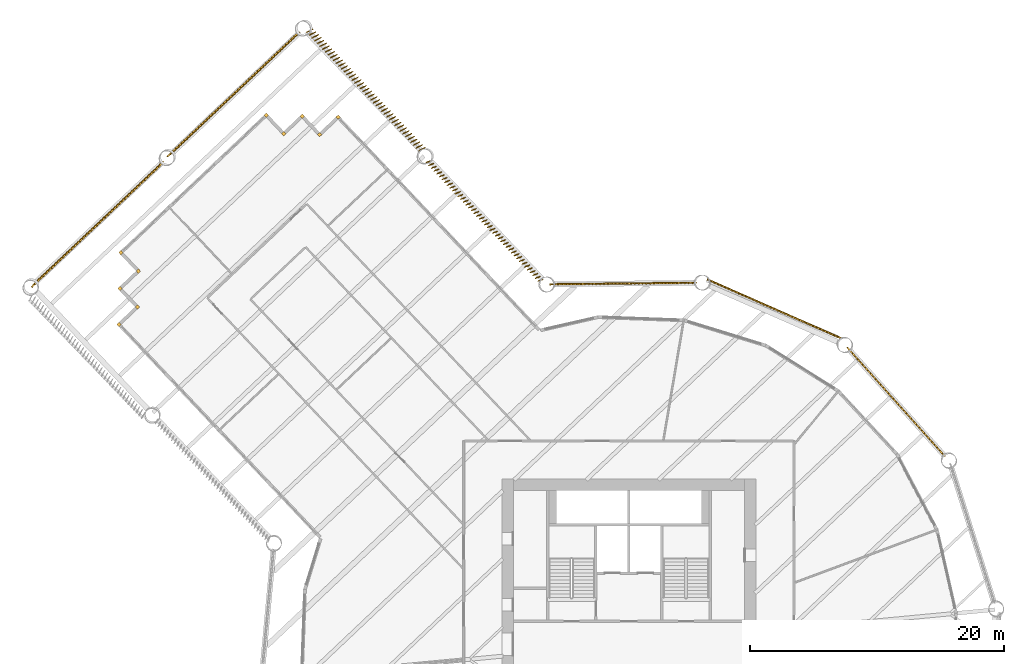
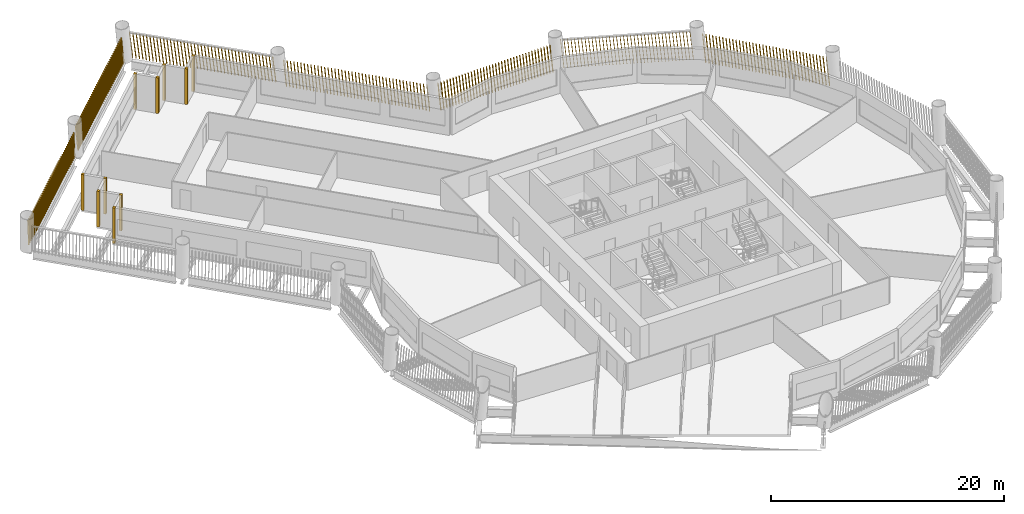
# One storey, part 14 of 15: 17 shading devices.
"""IFC4 building model written with IfcOpenShell, lengths in metres."""

from ifc_helpers import new_model, si_unit, direction, frame, frame_2d, origin, origin_2d, place, context, subcontext, project, spatial, rectangle, composite_profile, extrude, material, type_object, element, save


model = new_model("IFC4")

# Units and contexts
model_context = context("Model", 3, precision=1e-05, world=origin(), true_north=direction((0.0, 1.0)))
body_context = subcontext(model_context, "Body", "Model", "MODEL_VIEW")
ifc_project = project(units=[si_unit("LENGTHUNIT", "METRE"), si_unit("AREAUNIT", "SQUARE_METRE"), si_unit("VOLUMEUNIT", "CUBIC_METRE"), si_unit("PLANEANGLEUNIT", "RADIAN"), si_unit("MASSUNIT", "GRAM", prefix="KILO")], contexts=[model_context])

# Site, building, storey
site_placement = place(None, origin())
site = spatial("IfcSite", under=ifc_project, at=site_placement, CompositionType="ELEMENT")
building_placement = place(site_placement, origin())
building = spatial("IfcBuilding", under=site, at=building_placement, Name="Tarsis Ring Headquarters", CompositionType="ELEMENT")
storey_placement = place(building_placement, frame((0.0, 0.0, 67.300048828125)))
storey = spatial("IfcBuildingStorey", under=building, at=storey_placement, Name="L14", CompositionType="ELEMENT", Elevation=67.300048828125)

# Shading devices
ifc_material = material(Name="Terracotta baguette", Category="masonry")
shading_device_type_1 = type_object("IfcShadingDeviceType", Name="Terracotta baguette screen", PredefinedType="USERDEFINED", material=ifc_material)
shading_device_1_placement = place(storey_placement, frame((24.8876953125, 14.783203125, 0.0), z_axis=(0.0, 0.0, 1.0), x_axis=(-0.667997829626, 0.744156266956, 0.0)))
element("IfcShadingDevice", 1, at=shading_device_1_placement, inside=storey, type_object=shading_device_type_1, Name="Baguette screen L14-12", ObjectType="Terracotta baguette screen", PredefinedType="USERDEFINED", context=body_context, shape_type="SweptSolid", body=[
    extrude(composite_profile([rectangle(XDim=0.06005859375, YDim=0.1201171875, at=frame_2d((0.030029296875, 0.0))), rectangle(XDim=0.06005859375, YDim=0.1201171875, at=frame_2d((0.33251953125, 0.0))), rectangle(XDim=0.06005859375, YDim=0.1201171875, at=frame_2d((0.634765625, 0.0))), rectangle(XDim=0.06005859375, YDim=0.1201171875, at=frame_2d((0.937255859375, 0.0))), rectangle(XDim=0.06005859375, YDim=0.1201171875, at=frame_2d((1.239501953125, 0.0))), rectangle(XDim=0.06005859375, YDim=0.1201171875, at=frame_2d((1.5419921875, 0.0))), rectangle(XDim=0.06005859375, YDim=0.1201171875, at=frame_2d((1.844482421875, 0.0))), rectangle(XDim=0.06005859375, YDim=0.1201171875, at=frame_2d((2.146728515625, 0.0))), rectangle(XDim=0.06005859375, YDim=0.1201171875, at=frame_2d((2.44921875, 0.0))), rectangle(XDim=0.06005859375, YDim=0.1201171875, at=frame_2d((2.751708984375, 0.0))), rectangle(XDim=0.06005859375, YDim=0.1201171875, at=frame_2d((3.053955078125, 0.0))), rectangle(XDim=0.06005859375, YDim=0.1201171875, at=frame_2d((3.3564453125, 0.0))), rectangle(XDim=0.06005859375, YDim=0.1201171875, at=frame_2d((3.65869140625, 0.0))), rectangle(XDim=0.06005859375, YDim=0.1201171875, at=frame_2d((3.961181640625, 0.0))), rectangle(XDim=0.06005859375, YDim=0.1201171875, at=frame_2d((4.263671875, 0.0))), rectangle(XDim=0.06005859375, YDim=0.1201171875, at=frame_2d((4.56591796875, 0.0))), rectangle(XDim=0.06005859375, YDim=0.1201171875, at=frame_2d((4.868408203125, 0.0))), rectangle(XDim=0.06005859375, YDim=0.1201171875, at=frame_2d((5.1708984375, 0.0))), rectangle(XDim=0.06005859375, YDim=0.1201171875, at=frame_2d((5.47314453125, 0.0))), rectangle(XDim=0.06005859375, YDim=0.1201171875, at=frame_2d((5.775634765625, 0.0))), rectangle(XDim=0.06005859375, YDim=0.1201171875, at=frame_2d((6.077880859375, 0.0))), rectangle(XDim=0.06005859375, YDim=0.1201171875, at=frame_2d((6.38037109375, 0.0))), rectangle(XDim=0.06005859375, YDim=0.1201171875, at=frame_2d((6.682861328125, 0.0))), rectangle(XDim=0.06005859375, YDim=0.1201171875, at=frame_2d((6.985107421875, 0.0))), rectangle(XDim=0.06005859375, YDim=0.1201171875, at=frame_2d((7.28759765625, 0.0))), rectangle(XDim=0.06005859375, YDim=0.1201171875, at=frame_2d((7.590087890625, 0.0))), rectangle(XDim=0.06005859375, YDim=0.1201171875, at=frame_2d((7.892333984375, 0.0))), rectangle(XDim=0.06005859375, YDim=0.1201171875, at=frame_2d((8.19482421875, 0.0))), rectangle(XDim=0.06005859375, YDim=0.1201171875, at=frame_2d((8.4970703125, 0.0))), rectangle(XDim=0.06005859375, YDim=0.1201171875, at=frame_2d((8.799560546875, 0.0))), rectangle(XDim=0.06005859375, YDim=0.1201171875, at=frame_2d((9.10205078125, 0.0))), rectangle(XDim=0.06005859375, YDim=0.1201171875, at=frame_2d((9.404296875, 0.0))), rectangle(XDim=0.06005859375, YDim=0.1201171875, at=frame_2d((9.706787109375, 0.0))), rectangle(XDim=0.06005859375, YDim=0.1201171875, at=frame_2d((10.00927734375, 0.0))), rectangle(XDim=0.06005859375, YDim=0.1201171875, at=frame_2d((10.3115234375, 0.0))), rectangle(XDim=0.06005859375, YDim=0.1201171875, at=frame_2d((10.614013671875, 0.0))), rectangle(XDim=0.06005859375, YDim=0.1201171875, at=frame_2d((10.916259765625, 0.0))), rectangle(XDim=0.06005859375, YDim=0.1201171875, at=frame_2d((11.21875, 0.0)))]), origin(), (0.100199944329, 0.000525921883, 0.994967182656), 2.967529296875),
])
shading_device_2_placement = place(storey_placement, frame((16.732666015625, 24.070556640625, 0.0), z_axis=(0.0, 0.0, 1.0), x_axis=(-0.915355398806, 0.402647856755, 0.0)))
element("IfcShadingDevice", 2, at=shading_device_2_placement, inside=storey, type_object=shading_device_type_1, Name="Baguette screen L14-13", ObjectType="Terracotta baguette screen", PredefinedType="USERDEFINED", context=body_context, shape_type="SweptSolid", body=[
    extrude(composite_profile([rectangle(XDim=0.06005859375, YDim=0.1201171875, at=frame_2d((0.030029296875, 0.0))), rectangle(XDim=0.06005859375, YDim=0.1201171875, at=frame_2d((0.33251953125, 0.0))), rectangle(XDim=0.06005859375, YDim=0.1201171875, at=frame_2d((0.634765625, 0.0))), rectangle(XDim=0.06005859375, YDim=0.1201171875, at=frame_2d((0.937255859375, 0.0))), rectangle(XDim=0.06005859375, YDim=0.1201171875, at=frame_2d((1.239501953125, 0.0))), rectangle(XDim=0.06005859375, YDim=0.1201171875, at=frame_2d((1.5419921875, 0.0))), rectangle(XDim=0.06005859375, YDim=0.1201171875, at=frame_2d((1.844482421875, 0.0))), rectangle(XDim=0.06005859375, YDim=0.1201171875, at=frame_2d((2.146728515625, 0.0))), rectangle(XDim=0.06005859375, YDim=0.1201171875, at=frame_2d((2.44921875, 0.0))), rectangle(XDim=0.06005859375, YDim=0.1201171875, at=frame_2d((2.751708984375, 0.0))), rectangle(XDim=0.06005859375, YDim=0.1201171875, at=frame_2d((3.053955078125, 0.0))), rectangle(XDim=0.06005859375, YDim=0.1201171875, at=frame_2d((3.3564453125, 0.0))), rectangle(XDim=0.06005859375, YDim=0.1201171875, at=frame_2d((3.65869140625, 0.0))), rectangle(XDim=0.06005859375, YDim=0.1201171875, at=frame_2d((3.961181640625, 0.0))), rectangle(XDim=0.06005859375, YDim=0.1201171875, at=frame_2d((4.263671875, 0.0))), rectangle(XDim=0.06005859375, YDim=0.1201171875, at=frame_2d((4.56591796875, 0.0))), rectangle(XDim=0.06005859375, YDim=0.1201171875, at=frame_2d((4.868408203125, 0.0))), rectangle(XDim=0.06005859375, YDim=0.1201171875, at=frame_2d((5.1708984375, 0.0))), rectangle(XDim=0.06005859375, YDim=0.1201171875, at=frame_2d((5.47314453125, 0.0))), rectangle(XDim=0.06005859375, YDim=0.1201171875, at=frame_2d((5.775634765625, 0.0))), rectangle(XDim=0.06005859375, YDim=0.1201171875, at=frame_2d((6.077880859375, 0.0))), rectangle(XDim=0.06005859375, YDim=0.1201171875, at=frame_2d((6.38037109375, 0.0))), rectangle(XDim=0.06005859375, YDim=0.1201171875, at=frame_2d((6.682861328125, 0.0))), rectangle(XDim=0.06005859375, YDim=0.1201171875, at=frame_2d((6.985107421875, 0.0))), rectangle(XDim=0.06005859375, YDim=0.1201171875, at=frame_2d((7.28759765625, 0.0))), rectangle(XDim=0.06005859375, YDim=0.1201171875, at=frame_2d((7.590087890625, 0.0))), rectangle(XDim=0.06005859375, YDim=0.1201171875, at=frame_2d((7.892333984375, 0.0))), rectangle(XDim=0.06005859375, YDim=0.1201171875, at=frame_2d((8.19482421875, 0.0))), rectangle(XDim=0.06005859375, YDim=0.1201171875, at=frame_2d((8.4970703125, 0.0))), rectangle(XDim=0.06005859375, YDim=0.1201171875, at=frame_2d((8.799560546875, 0.0))), rectangle(XDim=0.06005859375, YDim=0.1201171875, at=frame_2d((9.10205078125, 0.0))), rectangle(XDim=0.06005859375, YDim=0.1201171875, at=frame_2d((9.404296875, 0.0))), rectangle(XDim=0.06005859375, YDim=0.1201171875, at=frame_2d((9.706787109375, 0.0))), rectangle(XDim=0.06005859375, YDim=0.1201171875, at=frame_2d((10.00927734375, 0.0))), rectangle(XDim=0.06005859375, YDim=0.1201171875, at=frame_2d((10.3115234375, 0.0))), rectangle(XDim=0.06005859375, YDim=0.1201171875, at=frame_2d((10.614013671875, 0.0))), rectangle(XDim=0.06005859375, YDim=0.1201171875, at=frame_2d((10.916259765625, 0.0))), rectangle(XDim=0.06005859375, YDim=0.1201171875, at=frame_2d((11.21875, 0.0)))]), origin(), (0.101510052559, 0.00053155035, 0.994834371483), 2.968017578125),
])
shading_device_3_placement = place(storey_placement, frame((5.327392578125, 28.452880859375, 0.0), z_axis=(0.0, 0.0, 1.0), x_axis=(-0.999934890181, -0.010460977515, 0.0)))
element("IfcShadingDevice", 3, at=shading_device_3_placement, inside=storey, type_object=shading_device_type_1, Name="Baguette screen L14-14", ObjectType="Terracotta baguette screen", PredefinedType="USERDEFINED", context=body_context, shape_type="SweptSolid", body=[
    extrude(composite_profile([rectangle(XDim=0.06005859375, YDim=0.1201171875, at=frame_2d((0.030029296875, 0.0))), rectangle(XDim=0.06005859375, YDim=0.1201171875, at=frame_2d((0.33251953125, 0.0))), rectangle(XDim=0.06005859375, YDim=0.1201171875, at=frame_2d((0.634765625, 0.0))), rectangle(XDim=0.06005859375, YDim=0.1201171875, at=frame_2d((0.937255859375, 0.0))), rectangle(XDim=0.06005859375, YDim=0.1201171875, at=frame_2d((1.239501953125, 0.0))), rectangle(XDim=0.06005859375, YDim=0.1201171875, at=frame_2d((1.5419921875, 0.0))), rectangle(XDim=0.06005859375, YDim=0.1201171875, at=frame_2d((1.844482421875, 0.0))), rectangle(XDim=0.06005859375, YDim=0.1201171875, at=frame_2d((2.146728515625, 0.0))), rectangle(XDim=0.06005859375, YDim=0.1201171875, at=frame_2d((2.44921875, 0.0))), rectangle(XDim=0.06005859375, YDim=0.1201171875, at=frame_2d((2.751708984375, 0.0))), rectangle(XDim=0.06005859375, YDim=0.1201171875, at=frame_2d((3.053955078125, 0.0))), rectangle(XDim=0.06005859375, YDim=0.1201171875, at=frame_2d((3.3564453125, 0.0))), rectangle(XDim=0.06005859375, YDim=0.1201171875, at=frame_2d((3.65869140625, 0.0))), rectangle(XDim=0.06005859375, YDim=0.1201171875, at=frame_2d((3.961181640625, 0.0))), rectangle(XDim=0.06005859375, YDim=0.1201171875, at=frame_2d((4.263671875, 0.0))), rectangle(XDim=0.06005859375, YDim=0.1201171875, at=frame_2d((4.56591796875, 0.0))), rectangle(XDim=0.06005859375, YDim=0.1201171875, at=frame_2d((4.868408203125, 0.0))), rectangle(XDim=0.06005859375, YDim=0.1201171875, at=frame_2d((5.1708984375, 0.0))), rectangle(XDim=0.06005859375, YDim=0.1201171875, at=frame_2d((5.47314453125, 0.0))), rectangle(XDim=0.06005859375, YDim=0.1201171875, at=frame_2d((5.775634765625, 0.0))), rectangle(XDim=0.06005859375, YDim=0.1201171875, at=frame_2d((6.077880859375, 0.0))), rectangle(XDim=0.06005859375, YDim=0.1201171875, at=frame_2d((6.38037109375, 0.0))), rectangle(XDim=0.06005859375, YDim=0.1201171875, at=frame_2d((6.682861328125, 0.0))), rectangle(XDim=0.06005859375, YDim=0.1201171875, at=frame_2d((6.985107421875, 0.0))), rectangle(XDim=0.06005859375, YDim=0.1201171875, at=frame_2d((7.28759765625, 0.0))), rectangle(XDim=0.06005859375, YDim=0.1201171875, at=frame_2d((7.590087890625, 0.0))), rectangle(XDim=0.06005859375, YDim=0.1201171875, at=frame_2d((7.892333984375, 0.0))), rectangle(XDim=0.06005859375, YDim=0.1201171875, at=frame_2d((8.19482421875, 0.0))), rectangle(XDim=0.06005859375, YDim=0.1201171875, at=frame_2d((8.4970703125, 0.0))), rectangle(XDim=0.06005859375, YDim=0.1201171875, at=frame_2d((8.799560546875, 0.0))), rectangle(XDim=0.06005859375, YDim=0.1201171875, at=frame_2d((9.10205078125, 0.0))), rectangle(XDim=0.06005859375, YDim=0.1201171875, at=frame_2d((9.404296875, 0.0))), rectangle(XDim=0.06005859375, YDim=0.1201171875, at=frame_2d((9.706787109375, 0.0))), rectangle(XDim=0.06005859375, YDim=0.1201171875, at=frame_2d((10.00927734375, 0.0))), rectangle(XDim=0.06005859375, YDim=0.1201171875, at=frame_2d((10.3115234375, 0.0))), rectangle(XDim=0.06005859375, YDim=0.1201171875, at=frame_2d((10.614013671875, 0.0))), rectangle(XDim=0.06005859375, YDim=0.1201171875, at=frame_2d((10.916259765625, 0.0))), rectangle(XDim=0.06005859375, YDim=0.1201171875, at=frame_2d((11.21875, 0.0)))]), origin(), (0.100199572743, 0.000523471232, 0.99496722137), 2.967529296875),
])
shading_device_4_placement = place(storey_placement, frame((-6.764404296875, 28.693359375, 0.0), z_axis=(0.0, 0.0, 1.0), x_axis=(-0.687096713153, 0.726569152459, 0.0)))
element("IfcShadingDevice", 4, at=shading_device_4_placement, inside=storey, type_object=shading_device_type_1, Name="Baguette screen L14-15", ObjectType="Terracotta baguette screen", PredefinedType="USERDEFINED", context=body_context, shape_type="SweptSolid", body=[
    extrude(composite_profile([rectangle(XDim=0.06005859375, YDim=0.1201171875, at=frame_2d((0.030029296875, 0.0))), rectangle(XDim=0.06005859375, YDim=0.1201171875, at=frame_2d((0.335693359375, 0.0))), rectangle(XDim=0.06005859375, YDim=0.1201171875, at=frame_2d((0.6416015625, 0.0))), rectangle(XDim=0.06005859375, YDim=0.1201171875, at=frame_2d((0.947265625, 0.0))), rectangle(XDim=0.06005859375, YDim=0.1201171875, at=frame_2d((1.253173828125, 0.0))), rectangle(XDim=0.06005859375, YDim=0.1201171875, at=frame_2d((1.558837890625, 0.0))), rectangle(XDim=0.06005859375, YDim=0.1201171875, at=frame_2d((1.864501953125, 0.0))), rectangle(XDim=0.06005859375, YDim=0.1201171875, at=frame_2d((2.17041015625, 0.0))), rectangle(XDim=0.06005859375, YDim=0.1201171875, at=frame_2d((2.47607421875, 0.0))), rectangle(XDim=0.06005859375, YDim=0.1201171875, at=frame_2d((2.781982421875, 0.0))), rectangle(XDim=0.06005859375, YDim=0.1201171875, at=frame_2d((3.087646484375, 0.0))), rectangle(XDim=0.06005859375, YDim=0.1201171875, at=frame_2d((3.393310546875, 0.0))), rectangle(XDim=0.06005859375, YDim=0.1201171875, at=frame_2d((3.69921875, 0.0))), rectangle(XDim=0.06005859375, YDim=0.1201171875, at=frame_2d((4.0048828125, 0.0))), rectangle(XDim=0.06005859375, YDim=0.1201171875, at=frame_2d((4.310791015625, 0.0))), rectangle(XDim=0.06005859375, YDim=0.1201171875, at=frame_2d((4.616455078125, 0.0))), rectangle(XDim=0.06005859375, YDim=0.1201171875, at=frame_2d((4.922119140625, 0.0))), rectangle(XDim=0.06005859375, YDim=0.1201171875, at=frame_2d((5.22802734375, 0.0))), rectangle(XDim=0.06005859375, YDim=0.1201171875, at=frame_2d((5.53369140625, 0.0))), rectangle(XDim=0.06005859375, YDim=0.1201171875, at=frame_2d((5.839599609375, 0.0))), rectangle(XDim=0.06005859375, YDim=0.1201171875, at=frame_2d((6.145263671875, 0.0))), rectangle(XDim=0.06005859375, YDim=0.1201171875, at=frame_2d((6.451171875, 0.0))), rectangle(XDim=0.06005859375, YDim=0.1201171875, at=frame_2d((6.7568359375, 0.0))), rectangle(XDim=0.06005859375, YDim=0.1201171875, at=frame_2d((7.0625, 0.0))), rectangle(XDim=0.06005859375, YDim=0.1201171875, at=frame_2d((7.368408203125, 0.0))), rectangle(XDim=0.06005859375, YDim=0.1201171875, at=frame_2d((7.674072265625, 0.0))), rectangle(XDim=0.06005859375, YDim=0.1201171875, at=frame_2d((7.97998046875, 0.0))), rectangle(XDim=0.06005859375, YDim=0.1201171875, at=frame_2d((8.28564453125, 0.0))), rectangle(XDim=0.06005859375, YDim=0.1201171875, at=frame_2d((8.59130859375, 0.0))), rectangle(XDim=0.06005859375, YDim=0.1201171875, at=frame_2d((8.897216796875, 0.0))), rectangle(XDim=0.06005859375, YDim=0.1201171875, at=frame_2d((9.202880859375, 0.0))), rectangle(XDim=0.06005859375, YDim=0.1201171875, at=frame_2d((9.5087890625, 0.0))), rectangle(XDim=0.06005859375, YDim=0.1201171875, at=frame_2d((9.814453125, 0.0))), rectangle(XDim=0.06005859375, YDim=0.1201171875, at=frame_2d((10.1201171875, 0.0))), rectangle(XDim=0.06005859375, YDim=0.1201171875, at=frame_2d((10.426025390625, 0.0))), rectangle(XDim=0.06005859375, YDim=0.1201171875, at=frame_2d((10.731689453125, 0.0))), rectangle(XDim=0.06005859375, YDim=0.1201171875, at=frame_2d((11.03759765625, 0.0))), rectangle(XDim=0.06005859375, YDim=0.1201171875, at=frame_2d((11.34326171875, 0.0))), rectangle(XDim=0.06005859375, YDim=0.1201171875, at=frame_2d((11.64892578125, 0.0))), rectangle(XDim=0.06005859375, YDim=0.1201171875, at=frame_2d((11.954833984375, 0.0))), rectangle(XDim=0.06005859375, YDim=0.1201171875, at=frame_2d((12.260498046875, 0.0))), rectangle(XDim=0.06005859375, YDim=0.1201171875, at=frame_2d((12.56640625, 0.0))), rectangle(XDim=0.06005859375, YDim=0.1201171875, at=frame_2d((12.8720703125, 0.0)))]), origin(), (0.051497716412, 0.112700912309, 0.992293550099), 2.9755859375),
])
shading_device_5_placement = place(storey_placement, frame((-16.0439453125, 39.052001953125, 0.0), z_axis=(0.0, 0.0, 1.0), x_axis=(-0.687083711777, 0.72657432637, 0.0)))
element("IfcShadingDevice", 5, at=shading_device_5_placement, inside=storey, type_object=shading_device_type_1, Name="Baguette screen L14-16", ObjectType="Terracotta baguette screen", PredefinedType="USERDEFINED", context=body_context, shape_type="SweptSolid", body=[
    extrude(composite_profile([rectangle(XDim=0.06005859375, YDim=0.1201171875, at=frame_2d((0.030029296875, 0.0))), rectangle(XDim=0.06005859375, YDim=0.1201171875, at=frame_2d((0.335693359375, 0.0))), rectangle(XDim=0.06005859375, YDim=0.1201171875, at=frame_2d((0.6416015625, 0.0))), rectangle(XDim=0.06005859375, YDim=0.1201171875, at=frame_2d((0.947265625, 0.0))), rectangle(XDim=0.06005859375, YDim=0.1201171875, at=frame_2d((1.253173828125, 0.0))), rectangle(XDim=0.06005859375, YDim=0.1201171875, at=frame_2d((1.558837890625, 0.0))), rectangle(XDim=0.06005859375, YDim=0.1201171875, at=frame_2d((1.864501953125, 0.0))), rectangle(XDim=0.06005859375, YDim=0.1201171875, at=frame_2d((2.17041015625, 0.0))), rectangle(XDim=0.06005859375, YDim=0.1201171875, at=frame_2d((2.47607421875, 0.0))), rectangle(XDim=0.06005859375, YDim=0.1201171875, at=frame_2d((2.781982421875, 0.0))), rectangle(XDim=0.06005859375, YDim=0.1201171875, at=frame_2d((3.087646484375, 0.0))), rectangle(XDim=0.06005859375, YDim=0.1201171875, at=frame_2d((3.393310546875, 0.0))), rectangle(XDim=0.06005859375, YDim=0.1201171875, at=frame_2d((3.69921875, 0.0))), rectangle(XDim=0.06005859375, YDim=0.1201171875, at=frame_2d((4.0048828125, 0.0))), rectangle(XDim=0.06005859375, YDim=0.1201171875, at=frame_2d((4.310791015625, 0.0))), rectangle(XDim=0.06005859375, YDim=0.1201171875, at=frame_2d((4.616455078125, 0.0))), rectangle(XDim=0.06005859375, YDim=0.1201171875, at=frame_2d((4.922119140625, 0.0))), rectangle(XDim=0.06005859375, YDim=0.1201171875, at=frame_2d((5.22802734375, 0.0))), rectangle(XDim=0.06005859375, YDim=0.1201171875, at=frame_2d((5.53369140625, 0.0))), rectangle(XDim=0.06005859375, YDim=0.1201171875, at=frame_2d((5.839599609375, 0.0))), rectangle(XDim=0.06005859375, YDim=0.1201171875, at=frame_2d((6.145263671875, 0.0))), rectangle(XDim=0.06005859375, YDim=0.1201171875, at=frame_2d((6.451171875, 0.0))), rectangle(XDim=0.06005859375, YDim=0.1201171875, at=frame_2d((6.7568359375, 0.0))), rectangle(XDim=0.06005859375, YDim=0.1201171875, at=frame_2d((7.0625, 0.0))), rectangle(XDim=0.06005859375, YDim=0.1201171875, at=frame_2d((7.368408203125, 0.0))), rectangle(XDim=0.06005859375, YDim=0.1201171875, at=frame_2d((7.674072265625, 0.0))), rectangle(XDim=0.06005859375, YDim=0.1201171875, at=frame_2d((7.97998046875, 0.0))), rectangle(XDim=0.06005859375, YDim=0.1201171875, at=frame_2d((8.28564453125, 0.0))), rectangle(XDim=0.06005859375, YDim=0.1201171875, at=frame_2d((8.59130859375, 0.0))), rectangle(XDim=0.06005859375, YDim=0.1201171875, at=frame_2d((8.897216796875, 0.0))), rectangle(XDim=0.06005859375, YDim=0.1201171875, at=frame_2d((9.202880859375, 0.0))), rectangle(XDim=0.06005859375, YDim=0.1201171875, at=frame_2d((9.5087890625, 0.0))), rectangle(XDim=0.06005859375, YDim=0.1201171875, at=frame_2d((9.814453125, 0.0))), rectangle(XDim=0.06005859375, YDim=0.1201171875, at=frame_2d((10.1201171875, 0.0))), rectangle(XDim=0.06005859375, YDim=0.1201171875, at=frame_2d((10.426025390625, 0.0))), rectangle(XDim=0.06005859375, YDim=0.1201171875, at=frame_2d((10.731689453125, 0.0))), rectangle(XDim=0.06005859375, YDim=0.1201171875, at=frame_2d((11.03759765625, 0.0))), rectangle(XDim=0.06005859375, YDim=0.1201171875, at=frame_2d((11.34326171875, 0.0))), rectangle(XDim=0.06005859375, YDim=0.1201171875, at=frame_2d((11.64892578125, 0.0))), rectangle(XDim=0.06005859375, YDim=0.1201171875, at=frame_2d((11.954833984375, 0.0))), rectangle(XDim=0.06005859375, YDim=0.1201171875, at=frame_2d((12.260498046875, 0.0))), rectangle(XDim=0.06005859375, YDim=0.1201171875, at=frame_2d((12.56640625, 0.0))), rectangle(XDim=0.06005859375, YDim=0.1201171875, at=frame_2d((12.8720703125, 0.0)))]), origin(), (0.052207276358, 0.160550072535, 0.985646018865), 2.99560546875),
])
shading_device_6_placement = place(storey_placement, frame((-25.88818359375, 48.1884765625, 0.0), z_axis=(0.0, 0.0, 1.0), x_axis=(-0.726581158779, -0.687076514816, 0.0)))
element("IfcShadingDevice", 6, at=shading_device_6_placement, inside=storey, type_object=shading_device_type_1, Name="Baguette screen L14-17", ObjectType="Terracotta baguette screen", PredefinedType="USERDEFINED", context=body_context, shape_type="SweptSolid", body=[
    extrude(composite_profile([rectangle(XDim=0.06005859375, YDim=0.1201171875, at=frame_2d((0.030029296875, 0.0))), rectangle(XDim=0.06005859375, YDim=0.1201171875, at=frame_2d((0.33544921875, 0.0))), rectangle(XDim=0.06005859375, YDim=0.1201171875, at=frame_2d((0.640625, 0.0))), rectangle(XDim=0.06005859375, YDim=0.1201171875, at=frame_2d((0.946044921875, 0.0))), rectangle(XDim=0.06005859375, YDim=0.1201171875, at=frame_2d((1.25146484375, 0.0))), rectangle(XDim=0.06005859375, YDim=0.1201171875, at=frame_2d((1.556640625, 0.0))), rectangle(XDim=0.06005859375, YDim=0.1201171875, at=frame_2d((1.862060546875, 0.0))), rectangle(XDim=0.06005859375, YDim=0.1201171875, at=frame_2d((2.16748046875, 0.0))), rectangle(XDim=0.06005859375, YDim=0.1201171875, at=frame_2d((2.47265625, 0.0))), rectangle(XDim=0.06005859375, YDim=0.1201171875, at=frame_2d((2.778076171875, 0.0))), rectangle(XDim=0.06005859375, YDim=0.1201171875, at=frame_2d((3.08349609375, 0.0))), rectangle(XDim=0.06005859375, YDim=0.1201171875, at=frame_2d((3.388671875, 0.0))), rectangle(XDim=0.06005859375, YDim=0.1201171875, at=frame_2d((3.694091796875, 0.0))), rectangle(XDim=0.06005859375, YDim=0.1201171875, at=frame_2d((3.99951171875, 0.0))), rectangle(XDim=0.06005859375, YDim=0.1201171875, at=frame_2d((4.3046875, 0.0))), rectangle(XDim=0.06005859375, YDim=0.1201171875, at=frame_2d((4.610107421875, 0.0))), rectangle(XDim=0.06005859375, YDim=0.1201171875, at=frame_2d((4.91552734375, 0.0))), rectangle(XDim=0.06005859375, YDim=0.1201171875, at=frame_2d((5.220703125, 0.0))), rectangle(XDim=0.06005859375, YDim=0.1201171875, at=frame_2d((5.526123046875, 0.0))), rectangle(XDim=0.06005859375, YDim=0.1201171875, at=frame_2d((5.83154296875, 0.0))), rectangle(XDim=0.06005859375, YDim=0.1201171875, at=frame_2d((6.13671875, 0.0))), rectangle(XDim=0.06005859375, YDim=0.1201171875, at=frame_2d((6.442138671875, 0.0))), rectangle(XDim=0.06005859375, YDim=0.1201171875, at=frame_2d((6.74755859375, 0.0))), rectangle(XDim=0.06005859375, YDim=0.1201171875, at=frame_2d((7.052734375, 0.0))), rectangle(XDim=0.06005859375, YDim=0.1201171875, at=frame_2d((7.358154296875, 0.0))), rectangle(XDim=0.06005859375, YDim=0.1201171875, at=frame_2d((7.66357421875, 0.0))), rectangle(XDim=0.06005859375, YDim=0.1201171875, at=frame_2d((7.96875, 0.0))), rectangle(XDim=0.06005859375, YDim=0.1201171875, at=frame_2d((8.274169921875, 0.0))), rectangle(XDim=0.06005859375, YDim=0.1201171875, at=frame_2d((8.57958984375, 0.0))), rectangle(XDim=0.06005859375, YDim=0.1201171875, at=frame_2d((8.884765625, 0.0))), rectangle(XDim=0.06005859375, YDim=0.1201171875, at=frame_2d((9.190185546875, 0.0))), rectangle(XDim=0.06005859375, YDim=0.1201171875, at=frame_2d((9.49560546875, 0.0))), rectangle(XDim=0.06005859375, YDim=0.1201171875, at=frame_2d((9.80078125, 0.0))), rectangle(XDim=0.06005859375, YDim=0.1201171875, at=frame_2d((10.106201171875, 0.0))), rectangle(XDim=0.06005859375, YDim=0.1201171875, at=frame_2d((10.41162109375, 0.0))), rectangle(XDim=0.06005859375, YDim=0.1201171875, at=frame_2d((10.716796875, 0.0))), rectangle(XDim=0.06005859375, YDim=0.1201171875, at=frame_2d((11.022216796875, 0.0))), rectangle(XDim=0.06005859375, YDim=0.1201171875, at=frame_2d((11.32763671875, 0.0))), rectangle(XDim=0.06005859375, YDim=0.1201171875, at=frame_2d((11.6328125, 0.0))), rectangle(XDim=0.06005859375, YDim=0.1201171875, at=frame_2d((11.938232421875, 0.0))), rectangle(XDim=0.06005859375, YDim=0.1201171875, at=frame_2d((12.24365234375, 0.0))), rectangle(XDim=0.06005859375, YDim=0.1201171875, at=frame_2d((12.548828125, 0.0))), rectangle(XDim=0.06005859375, YDim=0.1201171875, at=frame_2d((12.854248046875, 0.0))), rectangle(XDim=0.06005859375, YDim=0.1201171875, at=frame_2d((13.15966796875, 0.0))), rectangle(XDim=0.06005859375, YDim=0.1201171875, at=frame_2d((13.46484375, 0.0))), rectangle(XDim=0.06005859375, YDim=0.1201171875, at=frame_2d((13.770263671875, 0.0)))]), origin(), (0.184133938489, -0.024821830856, 0.982587690443), 3.0048828125),
])
shading_device_7_placement = place(storey_placement, frame((-36.6416015625, 38.01953125, 0.0), z_axis=(0.0, 0.0, 1.0), x_axis=(-0.726576321563, -0.687088670299, 0.0)))
element("IfcShadingDevice", 7, at=shading_device_7_placement, inside=storey, type_object=shading_device_type_1, Name="Baguette screen L14-18", ObjectType="Terracotta baguette screen", PredefinedType="USERDEFINED", context=body_context, shape_type="SweptSolid", body=[
    extrude(composite_profile([rectangle(XDim=0.06005859375, YDim=0.1201171875, at=frame_2d((0.030029296875, 0.0))), rectangle(XDim=0.06005859375, YDim=0.1201171875, at=frame_2d((0.33544921875, 0.0))), rectangle(XDim=0.06005859375, YDim=0.1201171875, at=frame_2d((0.640625, 0.0))), rectangle(XDim=0.06005859375, YDim=0.1201171875, at=frame_2d((0.946044921875, 0.0))), rectangle(XDim=0.06005859375, YDim=0.1201171875, at=frame_2d((1.25146484375, 0.0))), rectangle(XDim=0.06005859375, YDim=0.1201171875, at=frame_2d((1.556640625, 0.0))), rectangle(XDim=0.06005859375, YDim=0.1201171875, at=frame_2d((1.862060546875, 0.0))), rectangle(XDim=0.06005859375, YDim=0.1201171875, at=frame_2d((2.16748046875, 0.0))), rectangle(XDim=0.06005859375, YDim=0.1201171875, at=frame_2d((2.47265625, 0.0))), rectangle(XDim=0.06005859375, YDim=0.1201171875, at=frame_2d((2.778076171875, 0.0))), rectangle(XDim=0.06005859375, YDim=0.1201171875, at=frame_2d((3.08349609375, 0.0))), rectangle(XDim=0.06005859375, YDim=0.1201171875, at=frame_2d((3.388671875, 0.0))), rectangle(XDim=0.06005859375, YDim=0.1201171875, at=frame_2d((3.694091796875, 0.0))), rectangle(XDim=0.06005859375, YDim=0.1201171875, at=frame_2d((3.99951171875, 0.0))), rectangle(XDim=0.06005859375, YDim=0.1201171875, at=frame_2d((4.3046875, 0.0))), rectangle(XDim=0.06005859375, YDim=0.1201171875, at=frame_2d((4.610107421875, 0.0))), rectangle(XDim=0.06005859375, YDim=0.1201171875, at=frame_2d((4.91552734375, 0.0))), rectangle(XDim=0.06005859375, YDim=0.1201171875, at=frame_2d((5.220703125, 0.0))), rectangle(XDim=0.06005859375, YDim=0.1201171875, at=frame_2d((5.526123046875, 0.0))), rectangle(XDim=0.06005859375, YDim=0.1201171875, at=frame_2d((5.83154296875, 0.0))), rectangle(XDim=0.06005859375, YDim=0.1201171875, at=frame_2d((6.13671875, 0.0))), rectangle(XDim=0.06005859375, YDim=0.1201171875, at=frame_2d((6.442138671875, 0.0))), rectangle(XDim=0.06005859375, YDim=0.1201171875, at=frame_2d((6.74755859375, 0.0))), rectangle(XDim=0.06005859375, YDim=0.1201171875, at=frame_2d((7.052734375, 0.0))), rectangle(XDim=0.06005859375, YDim=0.1201171875, at=frame_2d((7.358154296875, 0.0))), rectangle(XDim=0.06005859375, YDim=0.1201171875, at=frame_2d((7.66357421875, 0.0))), rectangle(XDim=0.06005859375, YDim=0.1201171875, at=frame_2d((7.96875, 0.0))), rectangle(XDim=0.06005859375, YDim=0.1201171875, at=frame_2d((8.274169921875, 0.0))), rectangle(XDim=0.06005859375, YDim=0.1201171875, at=frame_2d((8.57958984375, 0.0))), rectangle(XDim=0.06005859375, YDim=0.1201171875, at=frame_2d((8.884765625, 0.0))), rectangle(XDim=0.06005859375, YDim=0.1201171875, at=frame_2d((9.190185546875, 0.0))), rectangle(XDim=0.06005859375, YDim=0.1201171875, at=frame_2d((9.49560546875, 0.0))), rectangle(XDim=0.06005859375, YDim=0.1201171875, at=frame_2d((9.80078125, 0.0))), rectangle(XDim=0.06005859375, YDim=0.1201171875, at=frame_2d((10.106201171875, 0.0))), rectangle(XDim=0.06005859375, YDim=0.1201171875, at=frame_2d((10.41162109375, 0.0))), rectangle(XDim=0.06005859375, YDim=0.1201171875, at=frame_2d((10.716796875, 0.0))), rectangle(XDim=0.06005859375, YDim=0.1201171875, at=frame_2d((11.022216796875, 0.0))), rectangle(XDim=0.06005859375, YDim=0.1201171875, at=frame_2d((11.32763671875, 0.0))), rectangle(XDim=0.06005859375, YDim=0.1201171875, at=frame_2d((11.6328125, 0.0))), rectangle(XDim=0.06005859375, YDim=0.1201171875, at=frame_2d((11.938232421875, 0.0))), rectangle(XDim=0.06005859375, YDim=0.1201171875, at=frame_2d((12.24365234375, 0.0))), rectangle(XDim=0.06005859375, YDim=0.1201171875, at=frame_2d((12.548828125, 0.0))), rectangle(XDim=0.06005859375, YDim=0.1201171875, at=frame_2d((12.854248046875, 0.0))), rectangle(XDim=0.06005859375, YDim=0.1201171875, at=frame_2d((13.15966796875, 0.0))), rectangle(XDim=0.06005859375, YDim=0.1201171875, at=frame_2d((13.46484375, 0.0))), rectangle(XDim=0.06005859375, YDim=0.1201171875, at=frame_2d((13.770263671875, 0.0)))]), origin(), (0.183864289668, 0.026751245447, 0.982587550222), 3.0048828125),
])
shading_device_type_2 = type_object("IfcShadingDeviceType", Name="Terracotta corner baguette 250x250", PredefinedType="USERDEFINED", material=ifc_material)
for number, where, z_axis, x_axis, name in (
    (8, (-40.148193359375, 25.17236328125, 0.0), (0.0, 0.0, 1.0), (-0.726574826866, -0.68708734595, 0.0), "Corner baguette L14-01"),
    (9, (-22.89208984375, 41.49072265625, 0.0), (0.0, 0.0, 1.0), (-0.687087536167, 0.726574646987, 0.0), "Corner baguette L14-32"),
    (10, (-24.34521484375, 40.11669921875, 0.0), (0.0, 0.0, 1.0), (-0.72657435918, -0.687087840513, 0.0), "Corner baguette L14-33"),
    (11, (-25.719482421875, 41.56982421875, 0.0), (0.0, 0.0, 1.0), (-0.687087853195, 0.726574347189, 0.0), "Corner baguette L14-34"),
    (12, (-27.172607421875, 40.195556640625, 0.0), (0.0, 0.0, 1.0), (-0.726574599019, -0.687087586891, 0.0), "Corner baguette L14-35"),
    (13, (-28.546630859375, 41.648681640625, 0.0), (0.0, 0.0, 1.0), (-0.687087586891, 0.726574599019, 0.0), "Corner baguette L14-36"),
    (14, (-39.990234375, 30.8271484375, 0.0), (0.0, 0.0, 1.0), (-0.726574718939, -0.68708746008, 0.0), "Corner baguette L14-37"),
    (15, (-38.6162109375, 29.3740234375, 0.0), (0.0, 0.0, 1.0), (0.68708734595, -0.726574826866, 0.0), "Corner baguette L14-38"),
    (16, (-40.0693359375, 27.999755859375, 0.0), (0.0, 0.0, 1.0), (-0.726574599019, -0.687087586891, 0.0), "Corner baguette L14-39"),
    (17, (-38.695068359375, 26.546630859375, 0.0), (0.0, 0.0, 1.0), (0.687087586891, -0.726574599019, 0.0), "Corner baguette L14-40"),
):
    element("IfcShadingDevice", number, at=place(storey_placement, frame(where, z_axis=z_axis, x_axis=x_axis)), inside=storey, type_object=shading_device_type_2, Name=name, ObjectType="Terracotta corner baguette", PredefinedType="USERDEFINED", context=body_context, shape_type="SweptSolid", body=[
        extrude(rectangle(XDim=0.25, YDim=0.25, at=origin_2d()), origin(), (0.0, 0.0, 1.0), 3.739990234375),
    ])

save(model, "model.ifc")
